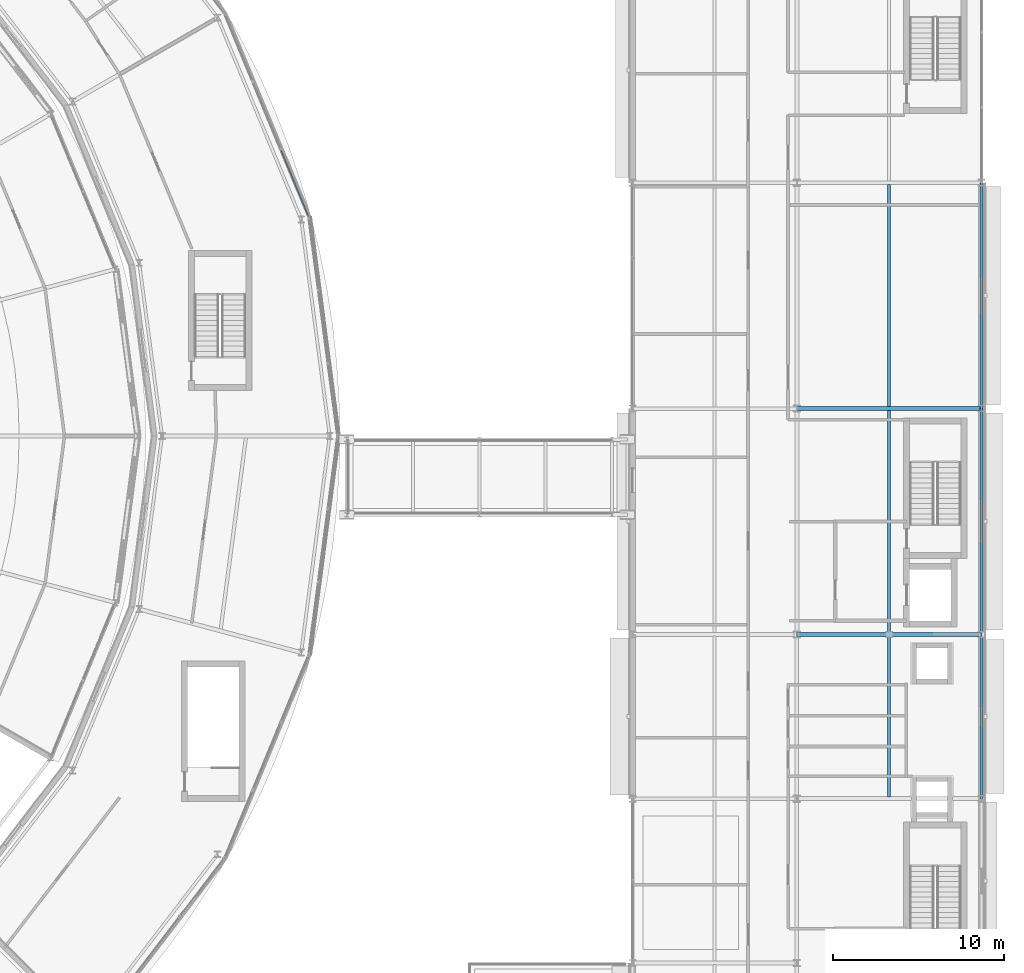
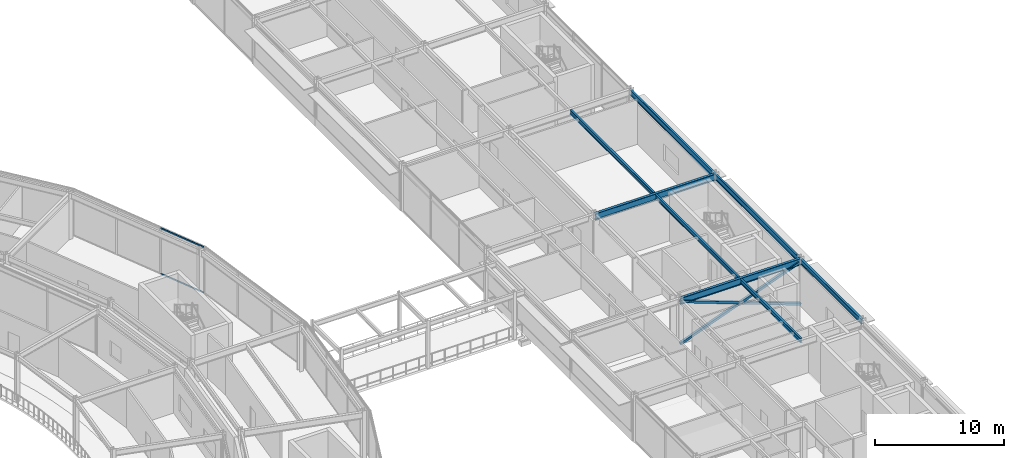
# One storey, part 101 of 157: 8 beams, 5 members, 1 element without a shape of its own.
"""IFC4 building model written with IfcOpenShell, lengths in metres."""

from ifc_helpers import new_model, si_unit, direction, frame, origin, origin_2d, place, context, subcontext, project, spatial, hollow_rectangle, i_section, extrude, material, material_profile, profile_set, type_object, element, aggregate, save


model = new_model("IFC4")

# Units and contexts
model_context = context("Model", 3, precision=1e-05, world=origin(), true_north=direction((0.0, 1.0)))
body_context = subcontext(model_context, "Body", "Model", "MODEL_VIEW")
ifc_project = project(units=[si_unit("LENGTHUNIT", "METRE"), si_unit("AREAUNIT", "SQUARE_METRE"), si_unit("VOLUMEUNIT", "CUBIC_METRE"), si_unit("PLANEANGLEUNIT", "RADIAN"), si_unit("MASSUNIT", "GRAM", prefix="KILO")], contexts=[model_context])

# Site, building, storey
site_placement = place(None, origin())
site = spatial("IfcSite", under=ifc_project, at=site_placement, CompositionType="ELEMENT")
building_placement = place(site_placement, origin())
building = spatial("IfcBuilding", under=site, at=building_placement, Name="Almandine Court Research Institute", CompositionType="ELEMENT")
storey_placement = place(building_placement, frame((0.0, 0.0, 5.25)))
storey = spatial("IfcBuildingStorey", under=building, at=storey_placement, Name="L01", CompositionType="ELEMENT", Elevation=5.25)

# Beams
ifc_material_1 = material(Name="Steel ASTM A992 Grade 50", Category="steel")
ifc_material_profile_1 = material_profile(ifc_material_1, i_section(OverallWidth=0.178955078125, OverallDepth=0.409912109375, WebThickness=0.009033203125, FlangeThickness=0.013916015625, at=origin_2d()), Name="W410x67")
ifc_profile_set_1 = profile_set([ifc_material_profile_1], Name="Steel ASTM A992 Grade 50")
beam_type_1 = type_object("IfcBeamType", Name="Beam-B-02", PredefinedType="JOIST", material=ifc_profile_set_1)
beam_1_placement = place(storey_placement, frame((168.60009765625, 34.9130859375, 4.1650390625), z_axis=(0.0, 1.0, 0.0), x_axis=(-1.0, 0.0, 0.0)))
element("IfcBeam", 1, at=beam_1_placement, inside=storey, type_object=beam_type_1, Name="L01 V4 Composite Secondary Beam", PredefinedType="JOIST", context=body_context, shape_type="SweptSolid", body=[
    extrude(i_section(OverallWidth=0.178955078125, OverallDepth=0.409912109375, WebThickness=0.009033203125, FlangeThickness=0.013916015625, at=origin_2d()), origin(), (0.0, 0.0, 1.0), 9.3740234375),
])
for number, where, z_axis, x_axis, name in (
    (2, (168.60009765625, 44.512939453125, 4.1650390625), (0.0, 1.0, 0.0), (-1.0, 0.0, 0.0), "L01 V4 Composite Secondary Beam"),
    (3, (168.60009765625, 57.712890625, 4.1650390625), (0.0, 1.0, 0.0), (-1.0, 0.0, 0.0), "L01 V4 Composite Secondary Beam"),
):
    element("IfcBeam", number, at=place(storey_placement, frame(where, z_axis=z_axis, x_axis=x_axis)), inside=storey, type_object=beam_type_1, Name=name, PredefinedType="JOIST", context=body_context, shape_type="SweptSolid", body=[
        extrude(i_section(OverallWidth=0.178955078125, OverallDepth=0.409912109375, WebThickness=0.009033203125, FlangeThickness=0.013916015625, at=origin_2d()), origin(), (0.0, 0.0, 1.0), 12.97412109375),
    ])
ifc_material_profile_2 = material_profile(ifc_material_1, i_section(OverallWidth=0.22998046875, OverallDepth=0.616943359375, WebThickness=0.012939453125, FlangeThickness=0.02197265625, at=origin_2d()), Name="W610x140")
ifc_profile_set_2 = profile_set([ifc_material_profile_2], Name="Steel ASTM A992 Grade 50")
beam_type_2 = type_object("IfcBeamType", Name="Beam-G-02", PredefinedType="BEAM", material=ifc_profile_set_2)
for number, where, z_axis, x_axis, name in (
    (4, (163.199951171875, 44.39990234375, 4.06103515625), (1.0, 0.0, 0.0), (0.0, 1.0, 0.0), "L01 V4 Primary X Girder"),
    (5, (163.199951171875, 57.60009765625, 4.06103515625), (1.0, 0.0, 0.0), (0.0, 1.0, 0.0), "L01 V4 Primary X Girder"),
):
    element("IfcBeam", number, at=place(storey_placement, frame(where, z_axis=z_axis, x_axis=x_axis)), inside=storey, type_object=beam_type_2, Name=name, PredefinedType="BEAM", context=body_context, shape_type="SweptSolid", body=[
        extrude(i_section(OverallWidth=0.22998046875, OverallDepth=0.616943359375, WebThickness=0.012939453125, FlangeThickness=0.02197265625, at=origin_2d()), origin(), (0.0, 0.0, 1.0), 10.800048828125),
    ])
ifc_material_profile_3 = material_profile(ifc_material_1, i_section(OverallWidth=0.166015625, OverallDepth=0.534912109375, WebThickness=0.010009765625, FlangeThickness=0.01708984375, at=origin_2d()), Name="W530x85")
ifc_profile_set_3 = profile_set([ifc_material_profile_3], Name="Steel ASTM A992 Grade 50")
beam_type_3 = type_object("IfcBeamType", Name="Beam-G-05-E", PredefinedType="SPANDREL", material=ifc_profile_set_3)
beam_2_placement = place(storey_placement, frame((174.0, 44.39990234375, 4.10205078125), z_axis=(0.0, 1.0, 0.0), x_axis=(-1.0, 0.0, 0.0)))
element("IfcBeam", 6, at=beam_2_placement, inside=storey, type_object=beam_type_3, Name="L01 V4 Primary Y Girder", PredefinedType="SPANDREL", context=body_context, shape_type="SweptSolid", body=[
    extrude(i_section(OverallWidth=0.166015625, OverallDepth=0.534912109375, WebThickness=0.010009765625, FlangeThickness=0.01708984375, at=origin_2d()), origin(), (0.0, 0.0, 1.0), 13.2001953125),
])
beam_3_placement = place(storey_placement, frame((174.0, 57.60009765625, 4.10205078125), z_axis=(0.0, 1.0, 0.0), x_axis=(-1.0, 0.0, 0.0)))
element("IfcBeam", 7, at=beam_3_placement, inside=storey, type_object=beam_type_3, Name="L01 V4 Primary Y Girder", PredefinedType="SPANDREL", context=body_context, shape_type="SweptSolid", body=[
    extrude(i_section(OverallWidth=0.166015625, OverallDepth=0.534912109375, WebThickness=0.010009765625, FlangeThickness=0.01708984375, at=origin_2d()), origin(), (0.0, 0.0, 1.0), 13.199951171875),
])
ifc_material_profile_4 = material_profile(ifc_material_1, i_section(OverallWidth=0.193115234375, OverallDepth=0.466064453125, WebThickness=0.010986328125, FlangeThickness=0.01904296875, at=origin_2d()), Name="W460x97")
ifc_profile_set_4 = profile_set([ifc_material_profile_4], Name="Steel ASTM A992 Grade 50")
beam_type_4 = type_object("IfcBeamType", Name="Beam-G-06-E", PredefinedType="SPANDREL", material=ifc_profile_set_4)
beam_4_placement = place(storey_placement, frame((174.0, 34.800048828125, 4.136962890625), z_axis=(0.0, 1.0, 0.0), x_axis=(-1.0, 0.0, 0.0)))
element("IfcBeam", 8, at=beam_4_placement, inside=storey, type_object=beam_type_4, Name="L01 V4 Primary Y Girder", PredefinedType="SPANDREL", context=body_context, shape_type="SweptSolid", body=[
    extrude(i_section(OverallWidth=0.193115234375, OverallDepth=0.466064453125, WebThickness=0.010986328125, FlangeThickness=0.01904296875, at=origin_2d()), origin(), (0.0, 0.0, 1.0), 9.599853515625),
])

# Curtain wall, members
ifc_material_2 = material(Name="Unitised Curtain Wall Framing and Solar Glazing", Category="glass")
curtain_wall_type = type_object("IfcCurtainWallType", Name="CW-CWJ-19", PredefinedType="USERDEFINED", material=ifc_material_2)
curtain_wall_placement = place(storey_placement, origin())
curtain_wall = element("IfcCurtainWall", 9, at=curtain_wall_placement, inside=storey, type_object=curtain_wall_type, Name="L01 Stacked-Ring Drum Outer Solar Jali Screen 01", ObjectType="SOLAR JALI SCREEN", PredefinedType="USERDEFINED")
ifc_material_3 = material(Name="Anodised Aluminium AW-6063-T6", Category="aluminium")
ifc_material_profile_5 = material_profile(ifc_material_3, hollow_rectangle(XDim=0.06494140625, YDim=0.1298828125, WallThickness=0.00390625, at=origin_2d()), Name="ALU RHS 65x130x4")
ifc_profile_set_5 = profile_set([ifc_material_profile_5], Name="Anodised Aluminium AW-6063-T6")
member_type_1 = type_object("IfcMemberType", Name="CWTrn-65x130", PredefinedType="NOTDEFINED", material=ifc_profile_set_5)
member_1_placement = place(storey_placement, frame((133.046875, 72.715087890625, 0.032470703125), z_axis=(0.382631051398, -0.923901227679, 0.0), x_axis=(0.923901227679, 0.382631051398, 0.0)))
member_1 = element("IfcMember", 10, at=member_1_placement, type_object=member_type_1, Name="CWJ-19 transom 3.1", ObjectType="TRANSOM", PredefinedType="USERDEFINED", context=body_context, shape_type="SweptSolid", body=[
    extrude(hollow_rectangle(XDim=0.06494140625, YDim=0.1298828125, WallThickness=0.00390625, at=origin_2d()), origin(), (0.0, 0.0, 1.0), 4.1953125),
])
member_2_placement = place(storey_placement, frame((133.046875, 72.715087890625, 4.33740234375), z_axis=(0.382631051398, -0.923901227679, 0.0), x_axis=(0.923901227679, 0.382631051398, 0.0)))
member_2 = element("IfcMember", 11, at=member_2_placement, type_object=member_type_1, Name="CWJ-19 transom 3.2", ObjectType="TRANSOM", PredefinedType="USERDEFINED", context=body_context, shape_type="SweptSolid", body=[
    extrude(hollow_rectangle(XDim=0.06494140625, YDim=0.1298828125, WallThickness=0.00390625, at=origin_2d()), origin(), (0.0, 0.0, 1.0), 4.1953125),
])
aggregate(curtain_wall, [member_1, member_2])

# Members
ifc_material_4 = material(Name="Steel ASTM A500 Grade C", Category="steel")
ifc_material_profile_6 = material_profile(ifc_material_4, hollow_rectangle(XDim=0.219970703125, YDim=0.219970703125, WallThickness=0.010009765625, at=origin_2d()), Name="HSS 220x220x10")
ifc_profile_set_6 = profile_set([ifc_material_profile_6], Name="Steel ASTM A500 Grade C")
member_type_2 = type_object("IfcMemberType", Name="Mem-BF-BR1", PredefinedType="BRACE", material=ifc_profile_set_6)
member_3_placement = place(storey_placement, frame((163.199951171875, 44.39990234375, 0.02001953125), z_axis=(0.936898037259, 0.0, 0.349602728509), x_axis=(0.0, 1.0, 0.0)))
element("IfcMember", 12, at=member_3_placement, inside=storey, type_object=member_type_2, Name="L01 Seismic X-Brace Continuous Diagonal V4-BF2", PredefinedType="BRACE", context=body_context, shape_type="SweptSolid", body=[
    extrude(hollow_rectangle(XDim=0.219970703125, YDim=0.219970703125, WallThickness=0.010009765625, at=origin_2d()), origin(), (0.0, 0.0, 1.0), 11.52734375),
])
for number, where, z_axis, x_axis, name in (
    (13, (174.0, 44.39990234375, 0.02001953125), (-0.936882731277, 0.0, 0.349643744167), (0.0, -1.0, 0.0), "L01 V4-BF2 Split X-Brace Diagonal"),
    (14, (168.43603515625, 44.39990234375, 2.095947265625), (-0.936882731277, 0.0, 0.349643744167), (0.0, -1.0, 0.0), "L01 V4-BF2 Split X-Brace Diagonal"),
):
    element("IfcMember", number, at=place(storey_placement, frame(where, z_axis=z_axis, x_axis=x_axis)), inside=storey, type_object=member_type_2, Name=name, PredefinedType="BRACE", context=body_context, shape_type="SweptSolid", body=[
        extrude(hollow_rectangle(XDim=0.219970703125, YDim=0.219970703125, WallThickness=0.010009765625, at=origin_2d()), origin(), (0.0, 0.0, 1.0), 5.5888671875),
    ])

save(model, "model.ifc")
